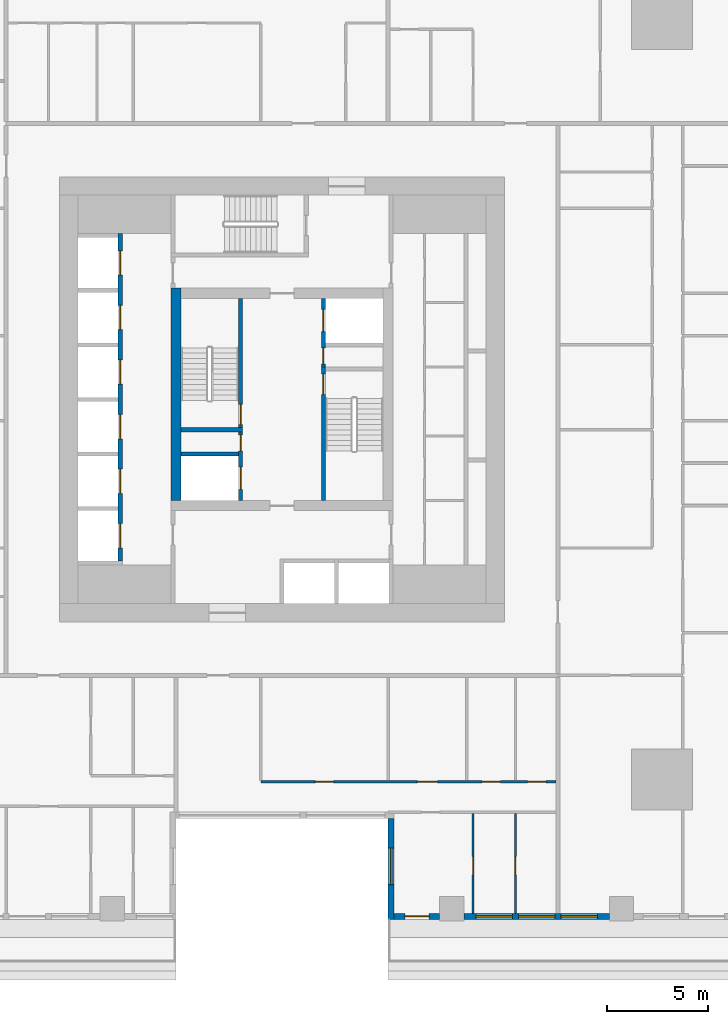
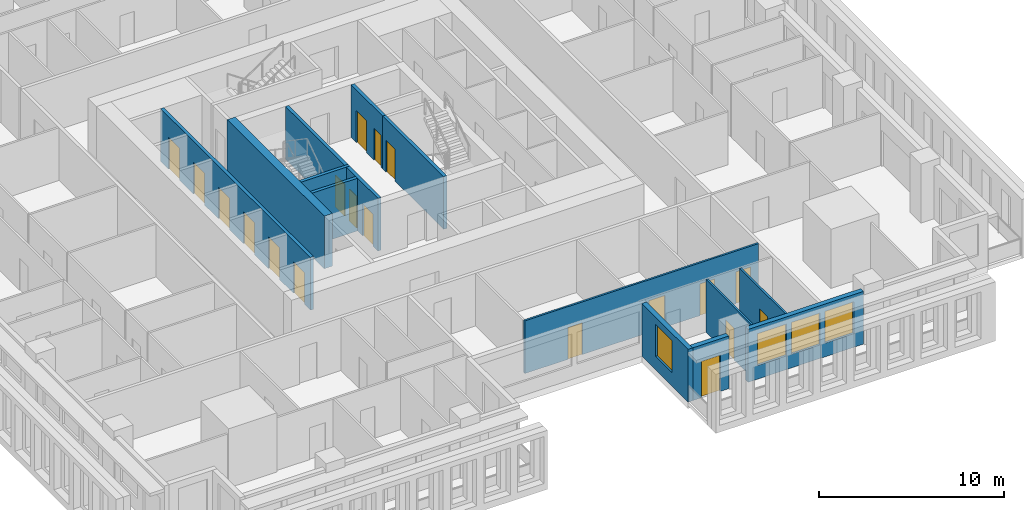
# One storey, part 4 of 15: 19 doors, 14 walls, 4 windows, 23 openings.
"""IFC4 building model written with IfcOpenShell, lengths in metres."""

from ifc_helpers import new_model, si_unit, direction, frame, frame_2d, origin, place, context, subcontext, project, spatial, rectangle, extrude, material, layer, layer_set, type_object, element, fill, save


model = new_model("IFC4")

# Units and contexts
model_context = context("Model", 3, precision=1e-05, world=origin(), true_north=direction((0.0, 1.0)))
body_context = subcontext(model_context, "Body", "Model", "MODEL_VIEW")
ifc_project = project(units=[si_unit("LENGTHUNIT", "METRE"), si_unit("AREAUNIT", "SQUARE_METRE"), si_unit("VOLUMEUNIT", "CUBIC_METRE"), si_unit("PLANEANGLEUNIT", "RADIAN"), si_unit("MASSUNIT", "GRAM", prefix="KILO")], contexts=[model_context])

# Site, building, storey
site_placement = place(None, origin())
site = spatial("IfcSite", under=ifc_project, at=site_placement, CompositionType="ELEMENT")
building_placement = place(site_placement, origin())
building = spatial("IfcBuilding", under=site, at=building_placement, Name="Khepri Terraces", CompositionType="ELEMENT")
storey_placement = place(building_placement, frame((0.0, 0.0, 38.699951171875)))
storey = spatial("IfcBuildingStorey", under=building, at=storey_placement, Name="L08", CompositionType="ELEMENT", Elevation=38.699951171875)

# Wall, opening, door
ifc_material_1 = material(Name="Concrete C80/95", Category="concrete")
ifc_layer_1 = layer(ifc_material_1, 0.199951171875, Name="Concrete C80/95", Category="concrete")
ifc_layer_set_1 = layer_set([ifc_layer_1], Name="Concrete C80/95")
wall_type_1 = type_object("IfcWallType", Name="Core wall 200 C80/95", PredefinedType="SHEAR", material=ifc_layer_set_1)
wall_1_placement = place(storey_placement, frame((2.050048828125, -5.0, 0.0), z_axis=(0.0, 0.0, 1.0), x_axis=(0.0, 1.0, 0.0)))
wall_1 = element("IfcWall", 1, at=wall_1_placement, inside=storey, type_object=wall_type_1, Name="Core wall ST01 L08", PredefinedType="SHEAR", context=body_context, shape_type="SweptSolid", body=[
    extrude(rectangle(XDim=6.60009765625, YDim=0.199951171875, at=frame_2d((3.300048828125, 0.0))), origin(), (0.0, 0.0, 1.0), 3.47998046875),
])
opening_1_placement = place(wall_1_placement, frame((5.25, 0.0, 0.0)))
opening_1 = element("IfcOpeningElement", 2, at=opening_1_placement, cuts=wall_1, Name="Opening L08-C10", PredefinedType="OPENING", context=body_context, shape_type="SweptSolid", body=[
    extrude(rectangle(XDim=1.0, YDim=2.10009765625, at=frame_2d((0.5, 1.050048828125))), frame((0.0, 0.10986328125, 0.0), z_axis=(0.0, -1.0, 0.0), x_axis=(1.0, 0.0, 0.0)), (0.0, 0.0, 1.0), 0.219970703125),
])
ifc_material_2 = material(Name="Painted steel", Category="steel")
door_type_1 = type_object("IfcDoorType", Name="DR-CORE-STAIR-1000", OperationType="NOTDEFINED", PredefinedType="DOOR", material=ifc_material_2)
door_1_placement = place(opening_1_placement, frame((1.0, 0.0, 0.0), z_axis=(0.0, 0.0, 1.0), x_axis=(-1.0, 0.0, 0.0)))
door_1 = element("IfcDoor", 3, at=door_1_placement, inside=storey, type_object=door_type_1, Name="Stair door L08-C10", OperationType="SINGLE_SWING_LEFT", OverallHeight=2.10009765625, OverallWidth=1.0, PredefinedType="DOOR", context=body_context, shape_type="SweptSolid", body=[
    extrude(rectangle(XDim=1.0, YDim=2.10009765625, at=frame_2d((0.5, 1.050048828125))), frame((0.0, 0.02490234375, 0.0), z_axis=(0.0, -1.0, 0.0), x_axis=(1.0, 0.0, 0.0)), (0.0, 0.0, 1.0), 0.050048828125),
])
fill(opening_1, door_1)

# Wall
wall_2_placement = place(storey_placement, frame((-5.0, -1.5, 0.0), z_axis=(0.0, 0.0, 1.0), x_axis=(1.0, 0.0, 0.0)))
element("IfcWall", 4, at=wall_2_placement, inside=storey, type_object=wall_type_1, Name="Core wall ST02 L08", PredefinedType="SHEAR", context=body_context, shape_type="SweptSolid", body=[
    extrude(rectangle(XDim=3.050048828125, YDim=0.199951171875, at=frame_2d((1.52490234375, 0.0))), origin(), (0.0, 0.0, 1.0), 3.47998046875),
])

# Wall, opening, door
wall_3_placement = place(storey_placement, frame((-2.050048828125, -1.39990234375, 0.0), z_axis=(0.0, 0.0, 1.0), x_axis=(0.0, 1.0, 0.0)))
wall_3 = element("IfcWall", 5, at=wall_3_placement, inside=storey, type_object=wall_type_1, Name="Core wall ST03 L08", PredefinedType="SHEAR", context=body_context, shape_type="SweptSolid", body=[
    extrude(rectangle(XDim=6.39990234375, YDim=0.199951171875, at=frame_2d((3.199951171875, 0.0))), origin(), (0.0, 0.0, 1.0), 3.47998046875),
])
opening_2_placement = place(wall_3_placement, frame((0.14990234375, 0.0, 0.0)))
opening_2 = element("IfcOpeningElement", 6, at=opening_2_placement, cuts=wall_3, Name="Opening L08-C09", PredefinedType="OPENING", context=body_context, shape_type="SweptSolid", body=[
    extrude(rectangle(XDim=1.0, YDim=2.10009765625, at=frame_2d((0.5, 1.050048828125))), frame((0.0, 0.10986328125, 0.0), z_axis=(0.0, -1.0, 0.0), x_axis=(1.0, 0.0, 0.0)), (0.0, 0.0, 1.0), 0.219970703125),
])
door_2_placement = place(opening_2_placement, origin())
door_2 = element("IfcDoor", 7, at=door_2_placement, inside=storey, type_object=door_type_1, Name="Stair door L08-C09", OperationType="SINGLE_SWING_LEFT", OverallHeight=2.10009765625, OverallWidth=1.0, PredefinedType="DOOR", context=body_context, shape_type="SweptSolid", body=[
    extrude(rectangle(XDim=1.0, YDim=2.10009765625, at=frame_2d((0.5, 1.050048828125))), frame((0.0, 0.02490234375, 0.0), z_axis=(0.0, -1.0, 0.0), x_axis=(1.0, 0.0, 0.0)), (0.0, 0.0, 1.0), 0.050048828125),
])
fill(opening_2, door_2)

# Wall, openings, doors
wall_4_placement = place(storey_placement, frame((-8.0, -8.0, 0.0), z_axis=(0.0, 0.0, 1.0), x_axis=(0.0, 1.0, 0.0)))
wall_4 = element("IfcWall", 8, at=wall_4_placement, inside=storey, type_object=wall_type_1, Name="Core wall SH08 L08", PredefinedType="SHEAR", context=body_context, shape_type="SweptSolid", body=[
    extrude(rectangle(XDim=16.199951171875, YDim=0.199951171875, at=frame_2d((8.10009765625, 0.0))), origin(), (0.0, 0.0, 1.0), 3.47998046875),
])
opening_3_placement = place(wall_4_placement, frame((0.64990234375, 0.0, 0.0)))
opening_3 = element("IfcOpeningElement", 9, at=opening_3_placement, cuts=wall_4, Name="Opening L08-C01", PredefinedType="OPENING", context=body_context, shape_type="SweptSolid", body=[
    extrude(rectangle(XDim=1.199951171875, YDim=2.10009765625, at=frame_2d((0.60009765625, 1.050048828125))), frame((0.0, 0.10986328125, 0.0), z_axis=(0.0, -1.0, 0.0), x_axis=(1.0, 0.0, 0.0)), (0.0, 0.0, 1.0), 0.219970703125),
])
opening_4_placement = place(wall_4_placement, frame((3.35009765625, 0.0, 0.0)))
opening_4 = element("IfcOpeningElement", 10, at=opening_4_placement, cuts=wall_4, Name="Opening L08-C02", PredefinedType="OPENING", context=body_context, shape_type="SweptSolid", body=[
    extrude(rectangle(XDim=1.199951171875, YDim=2.10009765625, at=frame_2d((0.60009765625, 1.050048828125))), frame((0.0, 0.10986328125, 0.0), z_axis=(0.0, -1.0, 0.0), x_axis=(1.0, 0.0, 0.0)), (0.0, 0.0, 1.0), 0.219970703125),
])
opening_5_placement = place(wall_4_placement, frame((6.050048828125, 0.0, 0.0)))
opening_5 = element("IfcOpeningElement", 11, at=opening_5_placement, cuts=wall_4, Name="Opening L08-C03", PredefinedType="OPENING", context=body_context, shape_type="SweptSolid", body=[
    extrude(rectangle(XDim=1.199951171875, YDim=2.10009765625, at=frame_2d((0.60009765625, 1.050048828125))), frame((0.0, 0.10986328125, 0.0), z_axis=(0.0, -1.0, 0.0), x_axis=(1.0, 0.0, 0.0)), (0.0, 0.0, 1.0), 0.219970703125),
])
opening_6_placement = place(wall_4_placement, frame((8.75, 0.0, 0.0)))
opening_6 = element("IfcOpeningElement", 12, at=opening_6_placement, cuts=wall_4, Name="Opening L08-C04", PredefinedType="OPENING", context=body_context, shape_type="SweptSolid", body=[
    extrude(rectangle(XDim=1.199951171875, YDim=2.10009765625, at=frame_2d((0.60009765625, 1.050048828125))), frame((0.0, 0.10986328125, 0.0), z_axis=(0.0, -1.0, 0.0), x_axis=(1.0, 0.0, 0.0)), (0.0, 0.0, 1.0), 0.219970703125),
])
opening_7_placement = place(wall_4_placement, frame((11.449951171875, 0.0, 0.0)))
opening_7 = element("IfcOpeningElement", 13, at=opening_7_placement, cuts=wall_4, Name="Opening L08-C05", PredefinedType="OPENING", context=body_context, shape_type="SweptSolid", body=[
    extrude(rectangle(XDim=1.199951171875, YDim=2.10009765625, at=frame_2d((0.60009765625, 1.050048828125))), frame((0.0, 0.10986328125, 0.0), z_axis=(0.0, -1.0, 0.0), x_axis=(1.0, 0.0, 0.0)), (0.0, 0.0, 1.0), 0.219970703125),
])
opening_8_placement = place(wall_4_placement, frame((14.14990234375, 0.0, 0.0)))
opening_8 = element("IfcOpeningElement", 14, at=opening_8_placement, cuts=wall_4, Name="Opening L08-C06", PredefinedType="OPENING", context=body_context, shape_type="SweptSolid", body=[
    extrude(rectangle(XDim=1.199951171875, YDim=2.10009765625, at=frame_2d((0.60009765625, 1.050048828125))), frame((0.0, 0.10986328125, 0.0), z_axis=(0.0, -1.0, 0.0), x_axis=(1.0, 0.0, 0.0)), (0.0, 0.0, 1.0), 0.219970703125),
])
ifc_material_3 = material(Name="Stainless steel 304", Category="steel")
door_type_2 = type_object("IfcDoorType", Name="DR-CORE-LANDING-1200", OperationType="NOTDEFINED", PredefinedType="DOOR", material=ifc_material_3)
door_3_placement = place(opening_3_placement, origin())
door_3 = element("IfcDoor", 15, at=door_3_placement, inside=storey, type_object=door_type_2, Name="Lift landing door L08-C01", OperationType="SLIDING_TO_LEFT", OverallHeight=2.10009765625, OverallWidth=1.199951171875, PredefinedType="DOOR", context=body_context, shape_type="SweptSolid", body=[
    extrude(rectangle(XDim=1.199951171875, YDim=2.10009765625, at=frame_2d((0.60009765625, 1.050048828125))), frame((0.0, 0.02490234375, 0.0), z_axis=(0.0, -1.0, 0.0), x_axis=(1.0, 0.0, 0.0)), (0.0, 0.0, 1.0), 0.050048828125),
])
fill(opening_3, door_3)
door_4_placement = place(opening_4_placement, origin())
door_4 = element("IfcDoor", 16, at=door_4_placement, inside=storey, type_object=door_type_2, Name="Lift landing door L08-C02", OperationType="SLIDING_TO_LEFT", OverallHeight=2.10009765625, OverallWidth=1.199951171875, PredefinedType="DOOR", context=body_context, shape_type="SweptSolid", body=[
    extrude(rectangle(XDim=1.199951171875, YDim=2.10009765625, at=frame_2d((0.60009765625, 1.050048828125))), frame((0.0, 0.02490234375, 0.0), z_axis=(0.0, -1.0, 0.0), x_axis=(1.0, 0.0, 0.0)), (0.0, 0.0, 1.0), 0.050048828125),
])
fill(opening_4, door_4)
door_5_placement = place(opening_5_placement, origin())
door_5 = element("IfcDoor", 17, at=door_5_placement, inside=storey, type_object=door_type_2, Name="Lift landing door L08-C03", OperationType="SLIDING_TO_LEFT", OverallHeight=2.10009765625, OverallWidth=1.199951171875, PredefinedType="DOOR", context=body_context, shape_type="SweptSolid", body=[
    extrude(rectangle(XDim=1.199951171875, YDim=2.10009765625, at=frame_2d((0.60009765625, 1.050048828125))), frame((0.0, 0.02490234375, 0.0), z_axis=(0.0, -1.0, 0.0), x_axis=(1.0, 0.0, 0.0)), (0.0, 0.0, 1.0), 0.050048828125),
])
fill(opening_5, door_5)
door_6_placement = place(opening_6_placement, origin())
door_6 = element("IfcDoor", 18, at=door_6_placement, inside=storey, type_object=door_type_2, Name="Lift landing door L08-C04", OperationType="SLIDING_TO_LEFT", OverallHeight=2.10009765625, OverallWidth=1.199951171875, PredefinedType="DOOR", context=body_context, shape_type="SweptSolid", body=[
    extrude(rectangle(XDim=1.199951171875, YDim=2.10009765625, at=frame_2d((0.60009765625, 1.050048828125))), frame((0.0, 0.02490234375, 0.0), z_axis=(0.0, -1.0, 0.0), x_axis=(1.0, 0.0, 0.0)), (0.0, 0.0, 1.0), 0.050048828125),
])
fill(opening_6, door_6)
door_7_placement = place(opening_7_placement, origin())
door_7 = element("IfcDoor", 19, at=door_7_placement, inside=storey, type_object=door_type_2, Name="Lift landing door L08-C05", OperationType="SLIDING_TO_LEFT", OverallHeight=2.10009765625, OverallWidth=1.199951171875, PredefinedType="DOOR", context=body_context, shape_type="SweptSolid", body=[
    extrude(rectangle(XDim=1.199951171875, YDim=2.10009765625, at=frame_2d((0.60009765625, 1.050048828125))), frame((0.0, 0.02490234375, 0.0), z_axis=(0.0, -1.0, 0.0), x_axis=(1.0, 0.0, 0.0)), (0.0, 0.0, 1.0), 0.050048828125),
])
fill(opening_7, door_7)
door_8_placement = place(opening_8_placement, origin())
door_8 = element("IfcDoor", 20, at=door_8_placement, inside=storey, type_object=door_type_2, Name="Lift landing door L08-C06", OperationType="SLIDING_TO_LEFT", OverallHeight=2.10009765625, OverallWidth=1.199951171875, PredefinedType="DOOR", context=body_context, shape_type="SweptSolid", body=[
    extrude(rectangle(XDim=1.199951171875, YDim=2.10009765625, at=frame_2d((0.60009765625, 1.050048828125))), frame((0.0, 0.02490234375, 0.0), z_axis=(0.0, -1.0, 0.0), x_axis=(1.0, 0.0, 0.0)), (0.0, 0.0, 1.0), 0.050048828125),
])
fill(opening_8, door_8)

wall_5_placement = place(storey_placement, frame((-2.050048828125, -5.0, 0.0), z_axis=(0.0, 0.0, 1.0), x_axis=(0.0, 1.0, 0.0)))
wall_5 = element("IfcWall", 21, at=wall_5_placement, inside=storey, type_object=wall_type_1, Name="Core wall SH10 L08", PredefinedType="SHEAR", context=body_context, shape_type="SweptSolid", body=[
    extrude(rectangle(XDim=3.39990234375, YDim=0.199951171875, at=frame_2d((1.699951171875, 0.0))), origin(), (0.0, 0.0, 1.0), 3.47998046875),
])
opening_9_placement = place(wall_5_placement, frame((0.550048828125, 0.0, 0.0)))
opening_9 = element("IfcOpeningElement", 22, at=opening_9_placement, cuts=wall_5, Name="Opening L08-C08", PredefinedType="OPENING", context=body_context, shape_type="SweptSolid", body=[
    extrude(rectangle(XDim=1.10009765625, YDim=2.10009765625, at=frame_2d((0.550048828125, 1.050048828125))), frame((0.0, 0.10986328125, 0.0), z_axis=(0.0, -1.0, 0.0), x_axis=(1.0, 0.0, 0.0)), (0.0, 0.0, 1.0), 0.219970703125),
])
opening_10_placement = place(wall_5_placement, frame((2.449951171875, 0.0, 0.0)))
opening_10 = element("IfcOpeningElement", 23, at=opening_10_placement, cuts=wall_5, Name="Opening L08-C12", PredefinedType="OPENING", context=body_context, shape_type="SweptSolid", body=[
    extrude(rectangle(XDim=0.800048828125, YDim=2.10009765625, at=frame_2d((0.39990234375, 1.050048828125))), frame((0.0, 0.10986328125, 0.0), z_axis=(0.0, -1.0, 0.0), x_axis=(1.0, 0.0, 0.0)), (0.0, 0.0, 1.0), 0.219970703125),
])
door_type_3 = type_object("IfcDoorType", Name="DR-CORE-FF-LANDING-1100", OperationType="NOTDEFINED", PredefinedType="DOOR", material=ifc_material_3)
door_9_placement = place(opening_9_placement, origin())
door_9 = element("IfcDoor", 24, at=door_9_placement, inside=storey, type_object=door_type_3, Name="Firefighting lift landing door L08-C08", OperationType="SLIDING_TO_LEFT", OverallHeight=2.10009765625, OverallWidth=1.10009765625, PredefinedType="DOOR", context=body_context, shape_type="SweptSolid", body=[
    extrude(rectangle(XDim=1.10009765625, YDim=2.10009765625, at=frame_2d((0.550048828125, 1.050048828125))), frame((0.0, 0.02490234375, 0.0), z_axis=(0.0, -1.0, 0.0), x_axis=(1.0, 0.0, 0.0)), (0.0, 0.0, 1.0), 0.050048828125),
])
fill(opening_9, door_9)
door_type_4 = type_object("IfcDoorType", Name="DR-CORE-RISER-800", OperationType="NOTDEFINED", PredefinedType="DOOR", material=ifc_material_2)
door_10_placement = place(opening_10_placement, origin())
door_10 = element("IfcDoor", 25, at=door_10_placement, inside=storey, type_object=door_type_4, Name="Riser door L08-C12", OperationType="SINGLE_SWING_RIGHT", OverallHeight=2.10009765625, OverallWidth=0.800048828125, PredefinedType="DOOR", context=body_context, shape_type="SweptSolid", body=[
    extrude(rectangle(XDim=0.800048828125, YDim=2.10009765625, at=frame_2d((0.39990234375, 1.050048828125))), frame((0.0, 0.02490234375, 0.0), z_axis=(0.0, -1.0, 0.0), x_axis=(1.0, 0.0, 0.0)), (0.0, 0.0, 1.0), 0.050048828125),
])
fill(opening_10, door_10)

# Wall
wall_6_placement = place(storey_placement, frame((-5.0, -2.699951171875, 0.0), z_axis=(0.0, 0.0, 1.0), x_axis=(1.0, 0.0, 0.0)))
element("IfcWall", 26, at=wall_6_placement, inside=storey, type_object=wall_type_1, Name="Core wall SH13 L08", PredefinedType="SHEAR", context=body_context, shape_type="SweptSolid", body=[
    extrude(rectangle(XDim=2.85009765625, YDim=0.199951171875, at=frame_2d((1.425048828125, 0.0))), origin(), (0.0, 0.0, 1.0), 3.47998046875),
])

# Wall, openings, doors
wall_7_placement = place(storey_placement, frame((2.050048828125, 1.60009765625, 0.0), z_axis=(0.0, 0.0, 1.0), x_axis=(0.0, 1.0, 0.0)))
wall_7 = element("IfcWall", 27, at=wall_7_placement, inside=storey, type_object=wall_type_1, Name="Core wall SH15 L08", PredefinedType="SHEAR", context=body_context, shape_type="SweptSolid", body=[
    extrude(rectangle(XDim=3.39990234375, YDim=0.199951171875, at=frame_2d((1.699951171875, 0.0))), origin(), (0.0, 0.0, 1.0), 3.47998046875),
])
opening_11_placement = place(wall_7_placement, frame((1.75, 0.0, 0.0)))
opening_11 = element("IfcOpeningElement", 28, at=opening_11_placement, cuts=wall_7, Name="Opening L08-C07", PredefinedType="OPENING", context=body_context, shape_type="SweptSolid", body=[
    extrude(rectangle(XDim=1.10009765625, YDim=2.10009765625, at=frame_2d((0.550048828125, 1.050048828125))), frame((0.0, 0.10986328125, 0.0), z_axis=(0.0, -1.0, 0.0), x_axis=(1.0, 0.0, 0.0)), (0.0, 0.0, 1.0), 0.219970703125),
])
opening_12_placement = place(wall_7_placement, frame((0.14990234375, 0.0, 0.0)))
opening_12 = element("IfcOpeningElement", 29, at=opening_12_placement, cuts=wall_7, Name="Opening L08-C11", PredefinedType="OPENING", context=body_context, shape_type="SweptSolid", body=[
    extrude(rectangle(XDim=0.800048828125, YDim=2.10009765625, at=frame_2d((0.39990234375, 1.050048828125))), frame((0.0, 0.10986328125, 0.0), z_axis=(0.0, -1.0, 0.0), x_axis=(1.0, 0.0, 0.0)), (0.0, 0.0, 1.0), 0.219970703125),
])
door_11_placement = place(opening_11_placement, origin())
door_11 = element("IfcDoor", 30, at=door_11_placement, inside=storey, type_object=door_type_3, Name="Firefighting lift landing door L08-C07", OperationType="SLIDING_TO_LEFT", OverallHeight=2.10009765625, OverallWidth=1.10009765625, PredefinedType="DOOR", context=body_context, shape_type="SweptSolid", body=[
    extrude(rectangle(XDim=1.10009765625, YDim=2.10009765625, at=frame_2d((0.550048828125, 1.050048828125))), frame((0.0, 0.02490234375, 0.0), z_axis=(0.0, -1.0, 0.0), x_axis=(1.0, 0.0, 0.0)), (0.0, 0.0, 1.0), 0.050048828125),
])
fill(opening_11, door_11)
door_12_placement = place(opening_12_placement, frame((0.800048828125, 0.0, 0.0), z_axis=(0.0, 0.0, 1.0), x_axis=(-1.0, 0.0, 0.0)))
door_12 = element("IfcDoor", 31, at=door_12_placement, inside=storey, type_object=door_type_4, Name="Riser door L08-C11", OperationType="SINGLE_SWING_RIGHT", OverallHeight=2.10009765625, OverallWidth=0.800048828125, PredefinedType="DOOR", context=body_context, shape_type="SweptSolid", body=[
    extrude(rectangle(XDim=0.800048828125, YDim=2.10009765625, at=frame_2d((0.39990234375, 1.050048828125))), frame((0.0, 0.02490234375, 0.0), z_axis=(0.0, -1.0, 0.0), x_axis=(1.0, 0.0, 0.0)), (0.0, 0.0, 1.0), 0.050048828125),
])
fill(opening_12, door_12)

# Wall
ifc_layer_2 = layer(ifc_material_1, 0.5, Name="Concrete C80/95", Category="concrete")
ifc_layer_set_2 = layer_set([ifc_layer_2], Name="Concrete C80/95")
wall_type_2 = type_object("IfcWallType", Name="Core wall 500 C80/95", PredefinedType="SHEAR", material=ifc_layer_set_2)
wall_8_placement = place(storey_placement, frame((-5.25, -5.0, 0.0), z_axis=(0.0, 0.0, 1.0), x_axis=(0.0, 1.0, 0.0)))
element("IfcWall", 32, at=wall_8_placement, inside=storey, type_object=wall_type_2, Name="Core wall BX02 L08", PredefinedType="SHEAR", context=body_context, shape_type="SweptSolid", body=[
    extrude(rectangle(XDim=10.5, YDim=0.5, at=frame_2d((5.25, 0.0))), origin(), (0.0, 0.0, 1.0), 3.47998046875),
])

# Wall, opening, window
ifc_material_4 = material(Name="Precast concrete C50/60 warm stone", Category="masonry")
ifc_layer_3 = layer(ifc_material_4, 0.300048828125, Name="Precast concrete C50/60 warm stone", Category="masonry")
ifc_layer_set_3 = layer_set([ifc_layer_3], Name="Precast concrete C50/60 warm stone")
wall_type_3 = type_object("IfcWallType", Name="WL-EXT-PRECAST-300", PredefinedType="STANDARD", material=ifc_layer_set_3)
wall_9_placement = place(storey_placement, frame((5.39990234375, -20.719970703125, 0.0), z_axis=(0.0, 0.0, 1.0), x_axis=(0.0, -1.0, 0.0)))
wall_9 = element("IfcWall", 33, at=wall_9_placement, inside=storey, type_object=wall_type_3, Name="External wall L08 W", PredefinedType="STANDARD", context=body_context, shape_type="SweptSolid", body=[
    extrude(rectangle(XDim=5.0, YDim=0.300048828125, at=frame_2d((2.5, 0.0))), origin(), (0.0, 0.0, 1.0), 3.47998046875),
])
opening_13_placement = place(wall_9_placement, frame((1.47998046875, 0.0, 0.89990234375)))
opening_13 = element("IfcOpeningElement", 34, at=opening_13_placement, cuts=wall_9, Name="Opening W1", PredefinedType="OPENING", context=body_context, shape_type="SweptSolid", body=[
    extrude(rectangle(XDim=1.800048828125, YDim=2.10009765625, at=frame_2d((0.89990234375, 1.050048828125))), frame((0.0, 0.16015625, 0.0), z_axis=(0.0, -1.0, 0.0), x_axis=(1.0, 0.0, 0.0)), (0.0, 0.0, 1.0), 0.320068359375),
])
ifc_material_5 = material(Name="Clear glass", Category="glass")
window_type = type_object("IfcWindowType", Name="WIN-RES-1800x2100", PartitioningType="SINGLE_PANEL", PredefinedType="WINDOW", material=ifc_material_5)
window_1_placement = place(opening_13_placement, origin())
window_1 = element("IfcWindow", 35, at=window_1_placement, inside=storey, type_object=window_type, Name="Window L08 W", OverallHeight=2.10009765625, OverallWidth=1.800048828125, PartitioningType="SINGLE_PANEL", PredefinedType="WINDOW", context=body_context, shape_type="SweptSolid", body=[
    extrude(rectangle(XDim=1.800048828125, YDim=2.10009765625, at=frame_2d((0.89990234375, 1.050048828125))), frame((0.0, 0.030029296875, 0.0), z_axis=(0.0, -1.0, 0.0), x_axis=(1.0, 0.0, 0.0)), (0.0, 0.0, 1.0), 0.06005859375),
])
fill(opening_13, window_1)

# Wall, opening, door
wall_10_placement = place(storey_placement, frame((5.550048828125, -25.570068359375, 0.0), z_axis=(0.0, 0.0, 1.0), x_axis=(1.0, 0.0, 0.0)))
wall_10 = element("IfcWall", 36, at=wall_10_placement, inside=storey, type_object=wall_type_3, Name="External wall L08 S", PredefinedType="STANDARD", context=body_context, shape_type="SweptSolid", body=[
    extrude(rectangle(XDim=2.25, YDim=0.300048828125, at=frame_2d((1.125, 0.0))), origin(), (0.0, 0.0, 1.0), 3.47998046875),
])
opening_14_placement = place(wall_10_placement, frame((0.52490234375, 0.0, 0.0)))
opening_14 = element("IfcOpeningElement", 37, at=opening_14_placement, cuts=wall_10, Name="Opening ED-L08-22", PredefinedType="OPENING", context=body_context, shape_type="SweptSolid", body=[
    extrude(rectangle(XDim=1.199951171875, YDim=2.39990234375, at=frame_2d((0.60009765625, 1.199951171875))), frame((0.0, 0.16015625, 0.0), z_axis=(0.0, -1.0, 0.0), x_axis=(1.0, 0.0, 0.0)), (0.0, 0.0, 1.0), 0.320068359375),
])
ifc_material_6 = material(Name="Anodised aluminium bronze glazed door", Category="aluminium")
door_type_5 = type_object("IfcDoorType", Name="DR-BAL-SLIDE-1200x2400", OperationType="NOTDEFINED", PredefinedType="DOOR", material=ifc_material_6)
door_13_placement = place(opening_14_placement, origin())
door_13 = element("IfcDoor", 38, at=door_13_placement, inside=storey, type_object=door_type_5, Name="Balcony door L08 S", OperationType="SLIDING_TO_RIGHT", OverallHeight=2.39990234375, OverallWidth=1.199951171875, PredefinedType="DOOR", context=body_context, shape_type="SweptSolid", body=[
    extrude(rectangle(XDim=1.199951171875, YDim=2.39990234375, at=frame_2d((0.60009765625, 1.199951171875))), frame((0.0, 0.02490234375, 0.0), z_axis=(0.0, -1.0, 0.0), x_axis=(1.0, 0.0, 0.0)), (0.0, 0.0, 1.0), 0.050048828125),
])
fill(opening_14, door_13)

# Wall, openings, windows
wall_11_placement = place(storey_placement, frame((9.0, -25.570068359375, 0.0), z_axis=(0.0, 0.0, 1.0), x_axis=(1.0, 0.0, 0.0)))
wall_11 = element("IfcWall", 39, at=wall_11_placement, inside=storey, type_object=wall_type_3, Name="External wall L08 S", PredefinedType="STANDARD", context=body_context, shape_type="SweptSolid", body=[
    extrude(rectangle(XDim=7.199951171875, YDim=0.300048828125, at=frame_2d((3.60009765625, 0.0))), origin(), (0.0, 0.0, 1.0), 3.47998046875),
])
opening_15_placement = place(wall_11_placement, frame((0.60009765625, 0.0, 0.89990234375)))
opening_15 = element("IfcOpeningElement", 40, at=opening_15_placement, cuts=wall_11, Name="Opening W1", PredefinedType="OPENING", context=body_context, shape_type="SweptSolid", body=[
    extrude(rectangle(XDim=1.800048828125, YDim=2.10009765625, at=frame_2d((0.89990234375, 1.050048828125))), frame((0.0, 0.16015625, 0.0), z_axis=(0.0, -1.0, 0.0), x_axis=(1.0, 0.0, 0.0)), (0.0, 0.0, 1.0), 0.320068359375),
])
opening_16_placement = place(wall_11_placement, frame((2.699951171875, 0.0, 0.89990234375)))
opening_16 = element("IfcOpeningElement", 41, at=opening_16_placement, cuts=wall_11, Name="Opening W1", PredefinedType="OPENING", context=body_context, shape_type="SweptSolid", body=[
    extrude(rectangle(XDim=1.800048828125, YDim=2.10009765625, at=frame_2d((0.89990234375, 1.050048828125))), frame((0.0, 0.16015625, 0.0), z_axis=(0.0, -1.0, 0.0), x_axis=(1.0, 0.0, 0.0)), (0.0, 0.0, 1.0), 0.320068359375),
])
opening_17_placement = place(wall_11_placement, frame((4.800048828125, 0.0, 0.89990234375)))
opening_17 = element("IfcOpeningElement", 42, at=opening_17_placement, cuts=wall_11, Name="Opening W1", PredefinedType="OPENING", context=body_context, shape_type="SweptSolid", body=[
    extrude(rectangle(XDim=1.800048828125, YDim=2.10009765625, at=frame_2d((0.89990234375, 1.050048828125))), frame((0.0, 0.16015625, 0.0), z_axis=(0.0, -1.0, 0.0), x_axis=(1.0, 0.0, 0.0)), (0.0, 0.0, 1.0), 0.320068359375),
])
window_2_placement = place(opening_15_placement, origin())
window_2 = element("IfcWindow", 43, at=window_2_placement, inside=storey, type_object=window_type, Name="Window L08 S", OverallHeight=2.10009765625, OverallWidth=1.800048828125, PartitioningType="SINGLE_PANEL", PredefinedType="WINDOW", context=body_context, shape_type="SweptSolid", body=[
    extrude(rectangle(XDim=1.800048828125, YDim=2.10009765625, at=frame_2d((0.89990234375, 1.050048828125))), frame((0.0, 0.030029296875, 0.0), z_axis=(0.0, -1.0, 0.0), x_axis=(1.0, 0.0, 0.0)), (0.0, 0.0, 1.0), 0.06005859375),
])
fill(opening_15, window_2)
window_3_placement = place(opening_16_placement, origin())
window_3 = element("IfcWindow", 44, at=window_3_placement, inside=storey, type_object=window_type, Name="Window L08 S", OverallHeight=2.10009765625, OverallWidth=1.800048828125, PartitioningType="SINGLE_PANEL", PredefinedType="WINDOW", context=body_context, shape_type="SweptSolid", body=[
    extrude(rectangle(XDim=1.800048828125, YDim=2.10009765625, at=frame_2d((0.89990234375, 1.050048828125))), frame((0.0, 0.030029296875, 0.0), z_axis=(0.0, -1.0, 0.0), x_axis=(1.0, 0.0, 0.0)), (0.0, 0.0, 1.0), 0.06005859375),
])
fill(opening_16, window_3)
window_4_placement = place(opening_17_placement, origin())
window_4 = element("IfcWindow", 45, at=window_4_placement, inside=storey, type_object=window_type, Name="Window L08 S", OverallHeight=2.10009765625, OverallWidth=1.800048828125, PartitioningType="SINGLE_PANEL", PredefinedType="WINDOW", context=body_context, shape_type="SweptSolid", body=[
    extrude(rectangle(XDim=1.800048828125, YDim=2.10009765625, at=frame_2d((0.89990234375, 1.050048828125))), frame((0.0, 0.030029296875, 0.0), z_axis=(0.0, -1.0, 0.0), x_axis=(1.0, 0.0, 0.0)), (0.0, 0.0, 1.0), 0.06005859375),
])
fill(opening_17, window_4)

# Wall, opening, door
ifc_material_7 = material(Name="Gypsum plasterboard partition")
ifc_layer_4 = layer(ifc_material_7, 0.1201171875, Name="Gypsum plasterboard partition")
ifc_layer_set_4 = layer_set([ifc_layer_4], Name="Gypsum plasterboard partition")
wall_type_4 = type_object("IfcWallType", Name="WL-PART-120", PredefinedType="PARTITIONING", material=ifc_layer_set_4)
wall_12_placement = place(storey_placement, frame((9.449951171875, -25.419921875, 0.0), z_axis=(0.0, 0.0, 1.0), x_axis=(0.0, 1.0, 0.0)))
wall_12 = element("IfcWall", 46, at=wall_12_placement, inside=storey, type_object=wall_type_4, Name="Partition P-004 L08", PredefinedType="PARTITIONING", context=body_context, shape_type="SweptSolid", body=[
    extrude(rectangle(XDim=4.93994140625, YDim=0.1201171875, at=frame_2d((2.469970703125, 0.0))), origin(), (0.0, 0.0, 1.0), 3.47998046875),
])
opening_18_placement = place(wall_12_placement, frame((1.89990234375, 0.0, 0.0)))
opening_18 = element("IfcOpeningElement", 47, at=opening_18_placement, cuts=wall_12, Name="Opening D3", PredefinedType="OPENING", context=body_context, shape_type="SweptSolid", body=[
    extrude(rectangle(XDim=0.89990234375, YDim=2.10009765625, at=frame_2d((0.449951171875, 1.050048828125))), frame((0.0, 0.070068359375, 0.0), z_axis=(0.0, -1.0, 0.0), x_axis=(1.0, 0.0, 0.0)), (0.0, 0.0, 1.0), 0.14013671875),
])
ifc_material_8 = material(Name="Timber door leaf", Category="wood")
door_type_6 = type_object("IfcDoorType", Name="DR-INT-900", OperationType="NOTDEFINED", PredefinedType="DOOR", material=ifc_material_8)
door_14_placement = place(opening_18_placement, frame((0.89990234375, 0.0, 0.0), z_axis=(0.0, 0.0, 1.0), x_axis=(-1.0, 0.0, 0.0)))
door_14 = element("IfcDoor", 48, at=door_14_placement, inside=storey, type_object=door_type_6, Name="Door Dressing Room", OperationType="SINGLE_SWING_RIGHT", OverallHeight=2.10009765625, OverallWidth=0.89990234375, PredefinedType="DOOR", context=body_context, shape_type="SweptSolid", body=[
    extrude(rectangle(XDim=0.89990234375, YDim=2.10009765625, at=frame_2d((0.449951171875, 1.050048828125))), frame((0.0, 0.02490234375, 0.0), z_axis=(0.0, -1.0, 0.0), x_axis=(1.0, 0.0, 0.0)), (0.0, 0.0, 1.0), 0.050048828125),
])
fill(opening_18, door_14)

wall_13_placement = place(storey_placement, frame((11.550048828125, -25.419921875, 0.0), z_axis=(0.0, 0.0, 1.0), x_axis=(0.0, 1.0, 0.0)))
wall_13 = element("IfcWall", 49, at=wall_13_placement, inside=storey, type_object=wall_type_4, Name="Partition P-005 L08", PredefinedType="PARTITIONING", context=body_context, shape_type="SweptSolid", body=[
    extrude(rectangle(XDim=4.93994140625, YDim=0.1201171875, at=frame_2d((2.469970703125, 0.0))), origin(), (0.0, 0.0, 1.0), 3.47998046875),
])
opening_19_placement = place(wall_13_placement, frame((1.89990234375, 0.0, 0.0)))
opening_19 = element("IfcOpeningElement", 50, at=opening_19_placement, cuts=wall_13, Name="Opening D4", PredefinedType="OPENING", context=body_context, shape_type="SweptSolid", body=[
    extrude(rectangle(XDim=0.89990234375, YDim=2.10009765625, at=frame_2d((0.449951171875, 1.050048828125))), frame((0.0, 0.070068359375, 0.0), z_axis=(0.0, -1.0, 0.0), x_axis=(1.0, 0.0, 0.0)), (0.0, 0.0, 1.0), 0.14013671875),
])
ifc_material_9 = material(Name="Timber door leaf, moisture resistant", Category="wood")
door_type_7 = type_object("IfcDoorType", Name="DR-WET-900", OperationType="NOTDEFINED", PredefinedType="DOOR", material=ifc_material_9)
door_15_placement = place(opening_19_placement, frame((0.89990234375, 0.0, 0.0), z_axis=(0.0, 0.0, 1.0), x_axis=(-1.0, 0.0, 0.0)))
door_15 = element("IfcDoor", 51, at=door_15_placement, inside=storey, type_object=door_type_7, Name="Door Bathroom", OperationType="SINGLE_SWING_RIGHT", OverallHeight=2.10009765625, OverallWidth=0.89990234375, PredefinedType="DOOR", context=body_context, shape_type="SweptSolid", body=[
    extrude(rectangle(XDim=0.89990234375, YDim=2.10009765625, at=frame_2d((0.449951171875, 1.050048828125))), frame((0.0, 0.02490234375, 0.0), z_axis=(0.0, -1.0, 0.0), x_axis=(1.0, 0.0, 0.0)), (0.0, 0.0, 1.0), 0.050048828125),
])
fill(opening_19, door_15)

# Wall, openings, doors
wall_14_placement = place(storey_placement, frame((-1.050048828125, -18.919921875, 0.0), z_axis=(0.0, 0.0, 1.0), x_axis=(1.0, 0.0, 0.0)))
wall_14 = element("IfcWall", 52, at=wall_14_placement, inside=storey, type_object=wall_type_4, Name="Partition P-014 L08", PredefinedType="PARTITIONING", context=body_context, shape_type="SweptSolid", body=[
    extrude(rectangle(XDim=14.60009765625, YDim=0.1201171875, at=frame_2d((7.300048828125, 0.0))), origin(), (0.0, 0.0, 1.0), 3.47998046875),
])
opening_20_placement = place(wall_14_placement, frame((2.699951171875, 0.0, 0.0)))
opening_20 = element("IfcOpeningElement", 53, at=opening_20_placement, cuts=wall_14, Name="Opening D3", PredefinedType="OPENING", context=body_context, shape_type="SweptSolid", body=[
    extrude(rectangle(XDim=0.89990234375, YDim=2.10009765625, at=frame_2d((0.449951171875, 1.050048828125))), frame((0.0, 0.070068359375, 0.0), z_axis=(0.0, -1.0, 0.0), x_axis=(1.0, 0.0, 0.0)), (0.0, 0.0, 1.0), 0.14013671875),
])
opening_21_placement = place(wall_14_placement, frame((7.75, 0.0, 0.0)))
opening_21 = element("IfcOpeningElement", 54, at=opening_21_placement, cuts=wall_14, Name="Opening D2", PredefinedType="OPENING", context=body_context, shape_type="SweptSolid", body=[
    extrude(rectangle(XDim=1.0, YDim=2.10009765625, at=frame_2d((0.5, 1.050048828125))), frame((0.0, 0.070068359375, 0.0), z_axis=(0.0, -1.0, 0.0), x_axis=(1.0, 0.0, 0.0)), (0.0, 0.0, 1.0), 0.14013671875),
])
opening_22_placement = place(wall_14_placement, frame((10.949951171875, 0.0, 0.0)))
opening_22 = element("IfcOpeningElement", 55, at=opening_22_placement, cuts=wall_14, Name="Opening D4", PredefinedType="OPENING", context=body_context, shape_type="SweptSolid", body=[
    extrude(rectangle(XDim=0.89990234375, YDim=2.10009765625, at=frame_2d((0.449951171875, 1.050048828125))), frame((0.0, 0.070068359375, 0.0), z_axis=(0.0, -1.0, 0.0), x_axis=(1.0, 0.0, 0.0)), (0.0, 0.0, 1.0), 0.14013671875),
])
opening_23_placement = place(wall_14_placement, frame((13.199951171875, 0.0, 0.0)))
opening_23 = element("IfcOpeningElement", 56, at=opening_23_placement, cuts=wall_14, Name="Opening D4", PredefinedType="OPENING", context=body_context, shape_type="SweptSolid", body=[
    extrude(rectangle(XDim=0.89990234375, YDim=2.10009765625, at=frame_2d((0.449951171875, 1.050048828125))), frame((0.0, 0.070068359375, 0.0), z_axis=(0.0, -1.0, 0.0), x_axis=(1.0, 0.0, 0.0)), (0.0, 0.0, 1.0), 0.14013671875),
])
ifc_material_10 = material(Name="Timber door leaf, living room door", Category="wood")
door_type_8 = type_object("IfcDoorType", Name="DR-INT-1000", OperationType="NOTDEFINED", PredefinedType="DOOR", material=ifc_material_10)
door_16_placement = place(opening_21_placement, origin())
door_16 = element("IfcDoor", 57, at=door_16_placement, inside=storey, type_object=door_type_8, Name="Door Family Room", OperationType="SINGLE_SWING_RIGHT", OverallHeight=2.10009765625, OverallWidth=1.0, PredefinedType="DOOR", context=body_context, shape_type="SweptSolid", body=[
    extrude(rectangle(XDim=1.0, YDim=2.10009765625, at=frame_2d((0.5, 1.050048828125))), frame((0.0, 0.02490234375, 0.0), z_axis=(0.0, -1.0, 0.0), x_axis=(1.0, 0.0, 0.0)), (0.0, 0.0, 1.0), 0.050048828125),
])
fill(opening_21, door_16)
door_17_placement = place(opening_20_placement, origin())
door_17 = element("IfcDoor", 58, at=door_17_placement, inside=storey, type_object=door_type_6, Name="Door Kitchen", OperationType="SINGLE_SWING_LEFT", OverallHeight=2.10009765625, OverallWidth=0.89990234375, PredefinedType="DOOR", context=body_context, shape_type="SweptSolid", body=[
    extrude(rectangle(XDim=0.89990234375, YDim=2.10009765625, at=frame_2d((0.449951171875, 1.050048828125))), frame((0.0, 0.02490234375, 0.0), z_axis=(0.0, -1.0, 0.0), x_axis=(1.0, 0.0, 0.0)), (0.0, 0.0, 1.0), 0.050048828125),
])
fill(opening_20, door_17)
door_18_placement = place(opening_22_placement, origin())
door_18 = element("IfcDoor", 59, at=door_18_placement, inside=storey, type_object=door_type_7, Name="Door Powder Room", OperationType="SINGLE_SWING_RIGHT", OverallHeight=2.10009765625, OverallWidth=0.89990234375, PredefinedType="DOOR", context=body_context, shape_type="SweptSolid", body=[
    extrude(rectangle(XDim=0.89990234375, YDim=2.10009765625, at=frame_2d((0.449951171875, 1.050048828125))), frame((0.0, 0.02490234375, 0.0), z_axis=(0.0, -1.0, 0.0), x_axis=(1.0, 0.0, 0.0)), (0.0, 0.0, 1.0), 0.050048828125),
])
fill(opening_22, door_18)
door_19_placement = place(opening_23_placement, origin())
door_19 = element("IfcDoor", 60, at=door_19_placement, inside=storey, type_object=door_type_7, Name="Door Guest Bathroom", OperationType="SINGLE_SWING_RIGHT", OverallHeight=2.10009765625, OverallWidth=0.89990234375, PredefinedType="DOOR", context=body_context, shape_type="SweptSolid", body=[
    extrude(rectangle(XDim=0.89990234375, YDim=2.10009765625, at=frame_2d((0.449951171875, 1.050048828125))), frame((0.0, 0.02490234375, 0.0), z_axis=(0.0, -1.0, 0.0), x_axis=(1.0, 0.0, 0.0)), (0.0, 0.0, 1.0), 0.050048828125),
])
fill(opening_23, door_19)

save(model, "model.ifc")
